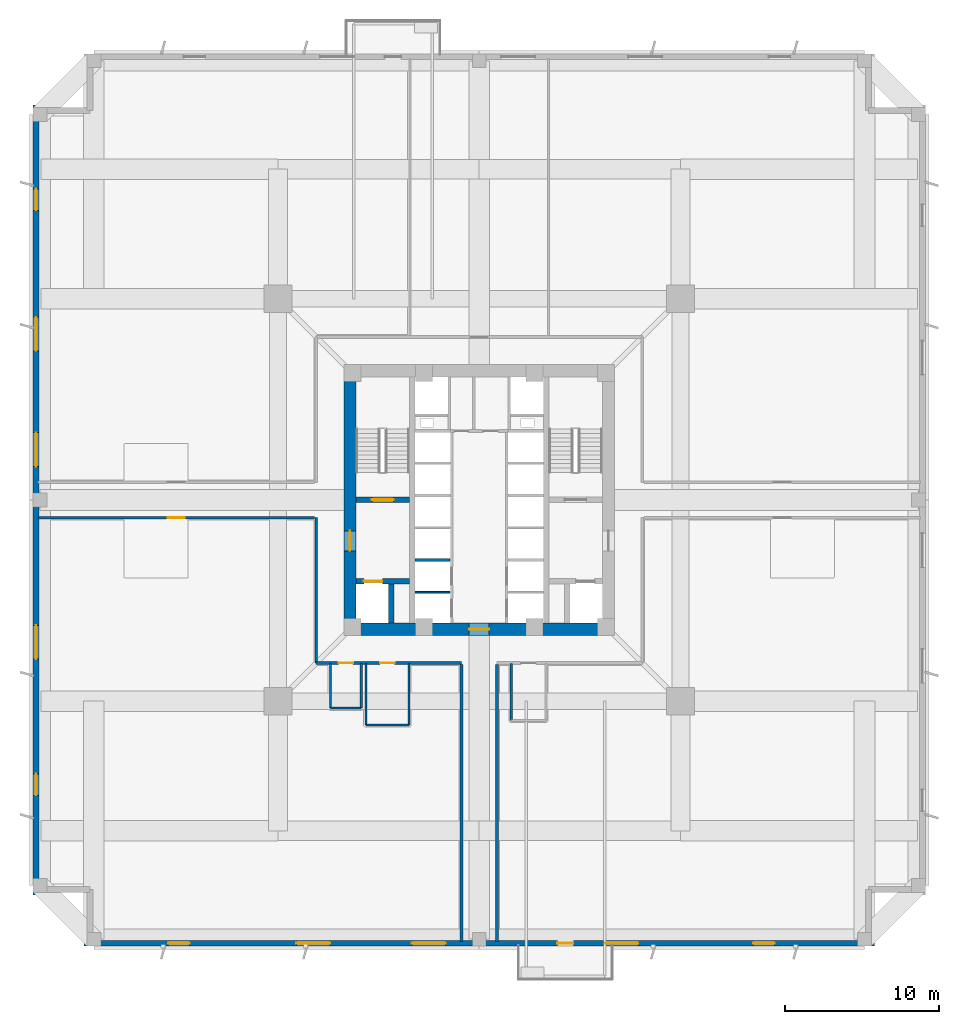
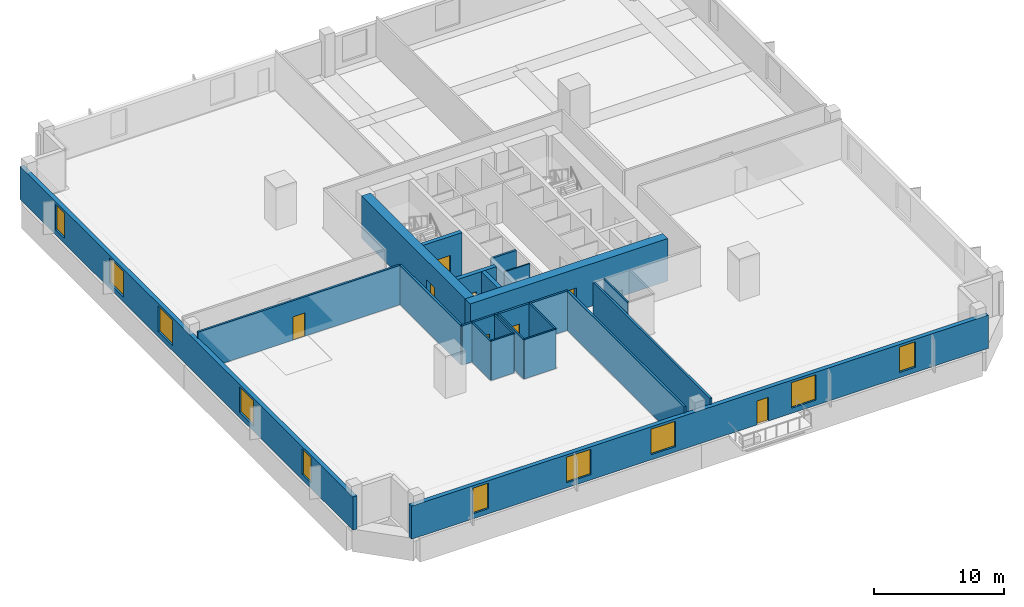
# One storey, part 2 of 9: 21 walls, 10 windows, 8 doors, 18 openings.
"""IFC4 building model written with IfcOpenShell, lengths in metres."""

from ifc_helpers import new_model, si_unit, direction, frame, frame_2d, origin, place, context, subcontext, project, spatial, rectangle, extrude, source, transform, mapped, material, layer, layer_set, type_object, element, fill, save


model = new_model("IFC4")

# Units and contexts
model_context = context("Model", 3, precision=1e-05, world=origin(), true_north=direction((0.0, 1.0)))
body_context = subcontext(model_context, "Body", "Model", "MODEL_VIEW")
ifc_project = project(units=[si_unit("LENGTHUNIT", "METRE"), si_unit("AREAUNIT", "SQUARE_METRE"), si_unit("VOLUMEUNIT", "CUBIC_METRE"), si_unit("PLANEANGLEUNIT", "RADIAN"), si_unit("MASSUNIT", "GRAM", prefix="KILO"), si_unit("THERMODYNAMICTEMPERATUREUNIT", "KELVIN")], contexts=[model_context])

# Site, building, storey
site_placement = place(None, origin())
site = spatial("IfcSite", under=ifc_project, at=site_placement, CompositionType="ELEMENT")
building_placement = place(site_placement, origin())
building = spatial("IfcBuilding", under=site, at=building_placement, Name="Kosmvard Interchange Tower", CompositionType="ELEMENT")
storey_placement = place(building_placement, frame((0.0, 0.0, 26.0)))
storey = spatial("IfcBuildingStorey", under=building, at=storey_placement, Name="L05", CompositionType="ELEMENT", Elevation=26.0)

# Wall, openings, doors
ifc_material_1 = material(Name="Fire-rated gypsum partition system")
ifc_layer_1 = layer(ifc_material_1, 0.179931640625, Name="Fire-rated gypsum partition system")
ifc_layer_set_1 = layer_set([ifc_layer_1], Name="Fire-rated gypsum partition system")
wall_type_1 = type_object("IfcWallType", Name="Corridor & Hotel Compartment Partition 180", PredefinedType="PARTITIONING", material=ifc_layer_set_1)
wall_1_placement = place(storey_placement, frame((-10.60009765625, -10.60009765625, 0.0), z_axis=(0.0, 0.0, 1.0), x_axis=(1.0, 0.0, 0.0)))
wall_1 = element("IfcWall", 1, at=wall_1_placement, inside=storey, type_object=wall_type_1, Name="L05 Corridor Wall CSW", PredefinedType="PARTITIONING", context=body_context, shape_type="SweptSolid", body=[
    extrude(rectangle(XDim=9.4501953125, YDim=0.179931640625, at=frame_2d((4.72509765625, 0.0))), origin(), (0.0, 0.0, 1.0), 3.719970703125),
])
opening_1_placement = place(wall_1_placement, frame((1.455078125, 0.0, 0.0)))
opening_1 = element("IfcOpeningElement", 2, at=opening_1_placement, cuts=wall_1, Name="Opening L05-D01", PredefinedType="OPENING", context=body_context, shape_type="SweptSolid", body=[
    extrude(rectangle(XDim=0.949951171875, YDim=2.10009765625, at=frame_2d((0.47509765625, 1.050048828125))), frame((0.0, 0.10009765625, 0.0), z_axis=(0.0, -1.0, 0.0), x_axis=(1.0, 0.0, 0.0)), (0.0, 0.0, 1.0), 0.199951171875),
])
opening_2_placement = place(wall_1_placement, frame((4.154052734375, 0.0, 0.0)))
opening_2 = element("IfcOpeningElement", 3, at=opening_2_placement, cuts=wall_1, Name="Opening L05-D03", PredefinedType="OPENING", context=body_context, shape_type="SweptSolid", body=[
    extrude(rectangle(XDim=0.949951171875, YDim=2.10009765625, at=frame_2d((0.47509765625, 1.050048828125))), frame((0.0, 0.10009765625, 0.0), z_axis=(0.0, -1.0, 0.0), x_axis=(1.0, 0.0, 0.0)), (0.0, 0.0, 1.0), 0.199951171875),
])
ifc_material_2 = material(Name="Laminated moisture-resistant timber", Category="wood")
door_type_1 = type_object("IfcDoorType", Name="Accessible Washroom Door 950x2100", OperationType="NOTDEFINED", PredefinedType="DOOR", material=ifc_material_2)
shared_shape_1 = source(origin(), body_context, "Body", "SweptSolid", [
    extrude(rectangle(XDim=0.949951171875, YDim=2.10009765625, at=frame_2d((0.47509765625, 1.050048828125))), frame((0.0, 0.02490234375, 0.0), z_axis=(0.0, -1.0, 0.0), x_axis=(1.0, 0.0, 0.0)), (0.0, 0.0, 1.0), 0.050048828125),
])
door_1_placement = place(opening_1_placement, frame((0.949951171875, 0.0, 0.0), z_axis=(0.0, 0.0, 1.0), x_axis=(-1.0, 0.0, 0.0)))
door_1 = element("IfcDoor", 4, at=door_1_placement, inside=storey, type_object=door_type_1, Name="L05 Accessible Toilet Door", OperationType="SINGLE_SWING_LEFT", OverallHeight=2.10009765625, OverallWidth=0.949951171875, PredefinedType="DOOR", context=body_context, shape_type="MappedRepresentation", body=[
    mapped(shared_shape_1, transform((0.0, 0.0, 0.0), scale=1.0)),
])
fill(opening_1, door_1)
door_2_placement = place(opening_2_placement, frame((0.949951171875, 0.0, 0.0), z_axis=(0.0, 0.0, 1.0), x_axis=(-1.0, 0.0, 0.0)))
door_2 = element("IfcDoor", 5, at=door_2_placement, inside=storey, type_object=door_type_1, Name="L05 Staff Catering Pantry Door", OperationType="SINGLE_SWING_LEFT", OverallHeight=2.10009765625, OverallWidth=0.949951171875, PredefinedType="DOOR", context=body_context, shape_type="MappedRepresentation", body=[
    mapped(shared_shape_1, transform((0.0, 0.0, 0.0), scale=1.0)),
])
fill(opening_2, door_2)

# Wall
wall_2_placement = place(storey_placement, frame((-10.60009765625, -10.60009765625, 0.0), z_axis=(0.0, 0.0, 1.0), x_axis=(0.0, 1.0, 0.0)))
element("IfcWall", 6, at=wall_2_placement, inside=storey, type_object=wall_type_1, Name="L05 Corridor Wall CWS", PredefinedType="PARTITIONING", context=body_context, shape_type="SweptSolid", body=[
    extrude(rectangle(XDim=9.4501953125, YDim=0.179931640625, at=frame_2d((4.72509765625, 0.0))), origin(), (0.0, 0.0, 1.0), 3.719970703125),
])

# Wall, opening, door
wall_3_placement = place(storey_placement, frame((-28.68505859375, -1.14990234375, 0.0), z_axis=(0.0, 0.0, 1.0), x_axis=(1.0, 0.0, 0.0)))
wall_3 = element("IfcWall", 7, at=wall_3_placement, inside=storey, type_object=wall_type_1, Name="L05 Corridor Wall SWS", PredefinedType="PARTITIONING", context=body_context, shape_type="SweptSolid", body=[
    extrude(rectangle(XDim=17.985107421875, YDim=0.179931640625, at=frame_2d((8.99267578125, 0.0))), origin(), (0.0, 0.0, 1.0), 3.719970703125),
])
opening_3_placement = place(wall_3_placement, frame((8.4423828125, 0.0, 0.0)))
opening_3 = element("IfcOpeningElement", 8, at=opening_3_placement, cuts=wall_3, Name="Opening L05-D08", PredefinedType="OPENING", context=body_context, shape_type="SweptSolid", body=[
    extrude(rectangle(XDim=1.10009765625, YDim=2.199951171875, at=frame_2d((0.550048828125, 1.10009765625))), frame((0.0, 0.10009765625, 0.0), z_axis=(0.0, -1.0, 0.0), x_axis=(1.0, 0.0, 0.0)), (0.0, 0.0, 1.0), 0.199951171875),
])
ifc_material_3 = material(Name="Engineered oak fire-rated timber", Category="wood")
door_type_2 = type_object("IfcDoorType", Name="Office Suite Entrance Door 1100x2200 FD30S", OperationType="NOTDEFINED", PredefinedType="DOOR", material=ifc_material_3)
shared_shape_2 = source(origin(), body_context, "Body", "SweptSolid", [
    extrude(rectangle(XDim=1.10009765625, YDim=2.199951171875, at=frame_2d((0.550048828125, 1.10009765625))), frame((0.0, 0.02490234375, 0.0), z_axis=(0.0, -1.0, 0.0), x_axis=(1.0, 0.0, 0.0)), (0.0, 0.0, 1.0), 0.050048828125),
])
door_3_placement = place(opening_3_placement, frame((1.10009765625, 0.0, 0.0), z_axis=(0.0, 0.0, 1.0), x_axis=(-1.0, 0.0, 0.0)))
door_3 = element("IfcDoor", 9, at=door_3_placement, inside=storey, type_object=door_type_2, Name="L05 South-West Open Plan Workplace Door", OperationType="SINGLE_SWING_RIGHT", OverallHeight=2.199951171875, OverallWidth=1.10009765625, PredefinedType="DOOR", context=body_context, shape_type="MappedRepresentation", body=[
    mapped(shared_shape_2, transform((0.0, 0.0, 0.0), scale=1.0)),
])
fill(opening_3, door_3)

# Walls
for number, where, z_axis, x_axis, name in (
    (10, (-1.14990234375, -28.68505859375, 0.0), (0.0, 0.0, 1.0), (0.0, 1.0, 0.0), "L05 Corridor Wall SSW"),
    (11, (1.14990234375, -28.68505859375, 0.0), (0.0, 0.0, 1.0), (0.0, 1.0, 0.0), "L05 Corridor Wall SSE"),
):
    element("IfcWall", number, at=place(storey_placement, frame(where, z_axis=z_axis, x_axis=x_axis)), inside=storey, type_object=wall_type_1, Name=name, PredefinedType="PARTITIONING", context=body_context, shape_type="SweptSolid", body=[
        extrude(rectangle(XDim=17.985107421875, YDim=0.179931640625, at=frame_2d((8.99267578125, 0.0))), origin(), (0.0, 0.0, 1.0), 3.719970703125),
    ])

# Wall, opening, door
ifc_material_4 = material(Name="Concrete C80/95", Category="concrete")
ifc_layer_2 = layer(ifc_material_4, 0.800048828125, Name="Concrete C80/95")
ifc_layer_set_2 = layer_set([ifc_layer_2], Name="Concrete C80/95")
wall_type_2 = type_object("IfcWallType", Name="Lower Core Shear Wall 800 C80/95", PredefinedType="SHEAR", material=ifc_layer_set_2)
wall_4_placement = place(storey_placement, frame((-8.800048828125, -8.39990234375, 0.0), z_axis=(0.0, 0.0, 1.0), x_axis=(1.0, 0.0, 0.0)))
wall_4 = element("IfcWall", 12, at=wall_4_placement, inside=storey, type_object=wall_type_2, Name="L05 Core Shear Wall CW-S", PredefinedType="SHEAR", context=body_context, shape_type="SweptSolid", body=[
    extrude(rectangle(XDim=17.60009765625, YDim=0.800048828125, at=frame_2d((8.800048828125, 0.0))), origin(), (0.0, 0.0, 1.0), 4.0),
])
opening_4_placement = place(wall_4_placement, frame((8.14990234375, 0.0, 0.0)))
opening_4 = element("IfcOpeningElement", 13, at=opening_4_placement, cuts=wall_4, Name="Opening L05-LD0", PredefinedType="OPENING", context=body_context, shape_type="SweptSolid", body=[
    extrude(rectangle(XDim=1.300048828125, YDim=2.199951171875, at=frame_2d((0.64990234375, 1.10009765625))), frame((0.0, 0.41015625, 0.0), z_axis=(0.0, -1.0, 0.0), x_axis=(1.0, 0.0, 0.0)), (0.0, 0.0, 1.0), 0.820068359375),
])
ifc_material_5 = material(Name="Painted fire-rated steel leaf", Category="steel")
door_type_3 = type_object("IfcDoorType", Name="Firefighting Lobby Door 1300x2200 EI60", OperationType="NOTDEFINED", PredefinedType="DOOR", material=ifc_material_5)
shared_shape_3 = source(origin(), body_context, "Body", "SweptSolid", [
    extrude(rectangle(XDim=1.300048828125, YDim=2.199951171875, at=frame_2d((0.64990234375, 1.10009765625))), frame((0.0, 0.02490234375, 0.0), z_axis=(0.0, -1.0, 0.0), x_axis=(1.0, 0.0, 0.0)), (0.0, 0.0, 1.0), 0.050048828125),
])
door_4_placement = place(opening_4_placement, frame((1.300048828125, 0.0, 0.0), z_axis=(0.0, 0.0, 1.0), x_axis=(-1.0, 0.0, 0.0)))
door_4 = element("IfcDoor", 14, at=door_4_placement, inside=storey, type_object=door_type_3, Name="L05 Passenger Lift Lobby South Door", OperationType="SINGLE_SWING_LEFT", OverallHeight=2.199951171875, OverallWidth=1.300048828125, PredefinedType="DOOR", context=body_context, shape_type="MappedRepresentation", body=[
    mapped(shared_shape_3, transform((0.0, 0.0, 0.0), scale=1.0)),
])
fill(opening_4, door_4)

wall_5_placement = place(storey_placement, frame((-8.39990234375, -8.0, 0.0), z_axis=(0.0, 0.0, 1.0), x_axis=(0.0, 1.0, 0.0)))
wall_5 = element("IfcWall", 15, at=wall_5_placement, inside=storey, type_object=wall_type_2, Name="L05 Core Shear Wall CW-W", PredefinedType="SHEAR", context=body_context, shape_type="SweptSolid", body=[
    extrude(rectangle(XDim=16.0, YDim=0.800048828125, at=frame_2d((8.0, 0.0))), origin(), (0.0, 0.0, 1.0), 4.0),
])
opening_5_placement = place(wall_5_placement, frame((4.68994140625, 0.0, 0.0)))
opening_5 = element("IfcOpeningElement", 16, at=opening_5_placement, cuts=wall_5, Name="Opening L05-FD1", PredefinedType="OPENING", context=body_context, shape_type="SweptSolid", body=[
    extrude(rectangle(XDim=1.300048828125, YDim=2.199951171875, at=frame_2d((0.64990234375, 1.10009765625))), frame((0.0, 0.41015625, 0.0), z_axis=(0.0, -1.0, 0.0), x_axis=(1.0, 0.0, 0.0)), (0.0, 0.0, 1.0), 0.820068359375),
])
door_5_placement = place(opening_5_placement, frame((1.300048828125, 0.0, 0.0), z_axis=(0.0, 0.0, 1.0), x_axis=(-1.0, 0.0, 0.0)))
door_5 = element("IfcDoor", 17, at=door_5_placement, inside=storey, type_object=door_type_3, Name="L05 Firefighting Lobby West Door", OperationType="SINGLE_SWING_LEFT", OverallHeight=2.199951171875, OverallWidth=1.300048828125, PredefinedType="DOOR", context=body_context, shape_type="MappedRepresentation", body=[
    mapped(shared_shape_3, transform((0.0, 0.0, 0.0), scale=1.0)),
])
fill(opening_5, door_5)

# Wall, openings, door, windows
ifc_material_6 = material(Name="Precast concrete C45/55", Category="concrete")
ifc_layer_3 = layer(ifc_material_6, 0.3798828125, Name="Precast concrete C45/55")
ifc_layer_set_3 = layer_set([ifc_layer_3], Name="Precast concrete C45/55")
wall_type_3 = type_object("IfcWallType", Name="Lower Tower Precast Pier Wall 380 C45/55", PredefinedType="STANDARD", material=ifc_layer_set_3)
wall_6_placement = place(storey_placement, frame((-25.68994140625, -28.81005859375, 0.0), z_axis=(0.0, 0.0, 1.0), x_axis=(1.0, 0.0, 0.0)))
wall_6 = element("IfcWall", 18, at=wall_6_placement, inside=storey, type_object=wall_type_3, Name="L05 Precast Facade Wall F-S", PredefinedType="STANDARD", context=body_context, shape_type="SweptSolid", body=[
    extrude(rectangle(XDim=51.3798828125, YDim=0.3798828125, at=frame_2d((25.68994140625, 0.0))), origin(), (0.0, 0.0, 1.0), 3.1201171875),
])
opening_6_placement = place(wall_6_placement, frame((30.764892578125, 0.0, 0.0)))
opening_6 = element("IfcOpeningElement", 19, at=opening_6_placement, cuts=wall_6, Name="Opening L05-BDW", PredefinedType="OPENING", context=body_context, shape_type="SweptSolid", body=[
    extrude(rectangle(XDim=1.050048828125, YDim=2.25, at=frame_2d((0.52490234375, 1.125))), frame((0.0, 0.199951171875, 0.0), z_axis=(0.0, -1.0, 0.0), x_axis=(1.0, 0.0, 0.0)), (0.0, 0.0, 1.0), 0.39990234375),
])
opening_7_placement = place(wall_6_placement, frame((5.465576171875, 0.0, 0.489990234375)))
opening_7 = element("IfcOpeningElement", 20, at=opening_7_placement, cuts=wall_6, Name="Opening L05-W01", PredefinedType="OPENING", context=body_context, shape_type="SweptSolid", body=[
    extrude(rectangle(XDim=1.39990234375, YDim=2.39990234375, at=frame_2d((0.699951171875, 1.199951171875))), frame((0.0, 0.199951171875, 0.0), z_axis=(0.0, -1.0, 0.0), x_axis=(1.0, 0.0, 0.0)), (0.0, 0.0, 1.0), 0.39990234375),
])
opening_8_placement = place(wall_6_placement, frame((13.80029296875, 0.0, 0.489990234375)))
opening_8 = element("IfcOpeningElement", 21, at=opening_8_placement, cuts=wall_6, Name="Opening L05-W02", PredefinedType="OPENING", context=body_context, shape_type="SweptSolid", body=[
    extrude(rectangle(XDim=2.199951171875, YDim=2.39990234375, at=frame_2d((1.10009765625, 1.199951171875))), frame((0.0, 0.199951171875, 0.0), z_axis=(0.0, -1.0, 0.0), x_axis=(1.0, 0.0, 0.0)), (0.0, 0.0, 1.0), 0.39990234375),
])
opening_9_placement = place(wall_6_placement, frame((21.3125, 0.0, 0.489990234375)))
opening_9 = element("IfcOpeningElement", 22, at=opening_9_placement, cuts=wall_6, Name="Opening L05-W03", PredefinedType="OPENING", context=body_context, shape_type="SweptSolid", body=[
    extrude(rectangle(XDim=2.199951171875, YDim=2.39990234375, at=frame_2d((1.10009765625, 1.199951171875))), frame((0.0, 0.199951171875, 0.0), z_axis=(0.0, -1.0, 0.0), x_axis=(1.0, 0.0, 0.0)), (0.0, 0.0, 1.0), 0.39990234375),
])
opening_10_placement = place(wall_6_placement, frame((33.83837890625, 0.0, 0.489990234375)))
opening_10 = element("IfcOpeningElement", 23, at=opening_10_placement, cuts=wall_6, Name="Opening L05-W04", PredefinedType="OPENING", context=body_context, shape_type="SweptSolid", body=[
    extrude(rectangle(XDim=2.199951171875, YDim=2.39990234375, at=frame_2d((1.10009765625, 1.199951171875))), frame((0.0, 0.199951171875, 0.0), z_axis=(0.0, -1.0, 0.0), x_axis=(1.0, 0.0, 0.0)), (0.0, 0.0, 1.0), 0.39990234375),
])
opening_11_placement = place(wall_6_placement, frame((43.48681640625, 0.0, 0.489990234375)))
opening_11 = element("IfcOpeningElement", 24, at=opening_11_placement, cuts=wall_6, Name="Opening L05-W05", PredefinedType="OPENING", context=body_context, shape_type="SweptSolid", body=[
    extrude(rectangle(XDim=1.39990234375, YDim=2.39990234375, at=frame_2d((0.699951171875, 1.199951171875))), frame((0.0, 0.199951171875, 0.0), z_axis=(0.0, -1.0, 0.0), x_axis=(1.0, 0.0, 0.0)), (0.0, 0.0, 1.0), 0.39990234375),
])
ifc_material_7 = material(Name="Anodised aluminium and safety glass", Category="aluminium")
door_type_4 = type_object("IfcDoorType", Name="Tree-Balcony Glazed Door 1050x2250", OperationType="NOTDEFINED", PredefinedType="DOOR", material=ifc_material_7)
shared_shape_4 = source(origin(), body_context, "Body", "SweptSolid", [
    extrude(rectangle(XDim=1.050048828125, YDim=2.25, at=frame_2d((0.52490234375, 1.125))), frame((0.0, 0.02490234375, 0.0), z_axis=(0.0, -1.0, 0.0), x_axis=(1.0, 0.0, 0.0)), (0.0, 0.0, 1.0), 0.050048828125),
])
door_6_placement = place(opening_6_placement, origin())
door_6 = element("IfcDoor", 25, at=door_6_placement, inside=storey, type_object=door_type_4, Name="L05 Tree-Balcony Door BAL-L05-SW", OperationType="SINGLE_SWING_RIGHT", OverallHeight=2.25, OverallWidth=1.050048828125, PredefinedType="DOOR", context=body_context, shape_type="MappedRepresentation", body=[
    mapped(shared_shape_4, transform((0.0, 0.0, 0.0), scale=1.0)),
])
fill(opening_6, door_6)
ifc_material_8 = material(Name="Low-E solar-control double glazing", Category="glass")
window_type_1 = type_object("IfcWindowType", Name="Notched Corner Feature Window 1400x2400", PartitioningType="SINGLE_PANEL", PredefinedType="WINDOW", material=ifc_material_8)
shared_shape_5 = source(origin(), body_context, "Body", "SweptSolid", [
    extrude(rectangle(XDim=1.39990234375, YDim=2.39990234375, at=frame_2d((0.699951171875, 1.199951171875))), frame((0.0, 0.030029296875, 0.0), z_axis=(0.0, -1.0, 0.0), x_axis=(1.0, 0.0, 0.0)), (0.0, 0.0, 1.0), 0.06005859375),
])
window_1_placement = place(opening_7_placement, origin())
window_1 = element("IfcWindow", 26, at=window_1_placement, inside=storey, type_object=window_type_1, Name="L05 Facade Punched Window 01", OverallHeight=2.39990234375, OverallWidth=1.39990234375, PartitioningType="SINGLE_PANEL", PredefinedType="WINDOW", context=body_context, shape_type="MappedRepresentation", body=[
    mapped(shared_shape_5, transform((0.0, 0.0, 0.0), scale=1.0)),
])
fill(opening_7, window_1)
window_2_placement = place(opening_11_placement, origin())
window_2 = element("IfcWindow", 27, at=window_2_placement, inside=storey, type_object=window_type_1, Name="L05 Facade Punched Window 05", OverallHeight=2.39990234375, OverallWidth=1.39990234375, PartitioningType="SINGLE_PANEL", PredefinedType="WINDOW", context=body_context, shape_type="MappedRepresentation", body=[
    mapped(shared_shape_5, transform((0.0, 0.0, 0.0), scale=1.0)),
])
fill(opening_11, window_2)
window_type_2 = type_object("IfcWindowType", Name="Zone 1 Office Punched Window 2200x2400", PartitioningType="SINGLE_PANEL", PredefinedType="WINDOW", material=ifc_material_8)
shared_shape_6 = source(origin(), body_context, "Body", "SweptSolid", [
    extrude(rectangle(XDim=2.199951171875, YDim=2.39990234375, at=frame_2d((1.10009765625, 1.199951171875))), frame((0.0, 0.030029296875, 0.0), z_axis=(0.0, -1.0, 0.0), x_axis=(1.0, 0.0, 0.0)), (0.0, 0.0, 1.0), 0.06005859375),
])
window_3_placement = place(opening_8_placement, origin())
window_3 = element("IfcWindow", 28, at=window_3_placement, inside=storey, type_object=window_type_2, Name="L05 Facade Punched Window 02", OverallHeight=2.39990234375, OverallWidth=2.199951171875, PartitioningType="SINGLE_PANEL", PredefinedType="WINDOW", context=body_context, shape_type="MappedRepresentation", body=[
    mapped(shared_shape_6, transform((0.0, 0.0, 0.0), scale=1.0)),
])
fill(opening_8, window_3)
window_4_placement = place(opening_9_placement, origin())
window_4 = element("IfcWindow", 29, at=window_4_placement, inside=storey, type_object=window_type_2, Name="L05 Facade Punched Window 03", OverallHeight=2.39990234375, OverallWidth=2.199951171875, PartitioningType="SINGLE_PANEL", PredefinedType="WINDOW", context=body_context, shape_type="MappedRepresentation", body=[
    mapped(shared_shape_6, transform((0.0, 0.0, 0.0), scale=1.0)),
])
fill(opening_9, window_4)
window_5_placement = place(opening_10_placement, origin())
window_5 = element("IfcWindow", 30, at=window_5_placement, inside=storey, type_object=window_type_2, Name="L05 Facade Punched Window 04", OverallHeight=2.39990234375, OverallWidth=2.199951171875, PartitioningType="SINGLE_PANEL", PredefinedType="WINDOW", context=body_context, shape_type="MappedRepresentation", body=[
    mapped(shared_shape_6, transform((0.0, 0.0, 0.0), scale=1.0)),
])
fill(opening_10, window_5)

# Wall, openings, windows
wall_7_placement = place(storey_placement, frame((-28.81005859375, 25.68994140625, 0.0), z_axis=(0.0, 0.0, 1.0), x_axis=(0.0, -1.0, 0.0)))
wall_7 = element("IfcWall", 31, at=wall_7_placement, inside=storey, type_object=wall_type_3, Name="L05 Precast Facade Wall F-W", PredefinedType="STANDARD", context=body_context, shape_type="SweptSolid", body=[
    extrude(rectangle(XDim=51.3798828125, YDim=0.3798828125, at=frame_2d((25.68994140625, 0.0))), origin(), (0.0, 0.0, 1.0), 3.1201171875),
])
opening_12_placement = place(wall_7_placement, frame((5.465576171875, 0.0, 0.489990234375)))
opening_12 = element("IfcOpeningElement", 32, at=opening_12_placement, cuts=wall_7, Name="Opening L05-W16", PredefinedType="OPENING", context=body_context, shape_type="SweptSolid", body=[
    extrude(rectangle(XDim=1.39990234375, YDim=2.39990234375, at=frame_2d((0.699951171875, 1.199951171875))), frame((0.0, 0.199951171875, 0.0), z_axis=(0.0, -1.0, 0.0), x_axis=(1.0, 0.0, 0.0)), (0.0, 0.0, 1.0), 0.39990234375),
])
opening_13_placement = place(wall_7_placement, frame((13.80029296875, 0.0, 0.489990234375)))
opening_13 = element("IfcOpeningElement", 33, at=opening_13_placement, cuts=wall_7, Name="Opening L05-W17", PredefinedType="OPENING", context=body_context, shape_type="SweptSolid", body=[
    extrude(rectangle(XDim=2.199951171875, YDim=2.39990234375, at=frame_2d((1.10009765625, 1.199951171875))), frame((0.0, 0.199951171875, 0.0), z_axis=(0.0, -1.0, 0.0), x_axis=(1.0, 0.0, 0.0)), (0.0, 0.0, 1.0), 0.39990234375),
])
opening_14_placement = place(wall_7_placement, frame((21.3125, 0.0, 0.489990234375)))
opening_14 = element("IfcOpeningElement", 34, at=opening_14_placement, cuts=wall_7, Name="Opening L05-W18", PredefinedType="OPENING", context=body_context, shape_type="SweptSolid", body=[
    extrude(rectangle(XDim=2.199951171875, YDim=2.39990234375, at=frame_2d((1.10009765625, 1.199951171875))), frame((0.0, 0.199951171875, 0.0), z_axis=(0.0, -1.0, 0.0), x_axis=(1.0, 0.0, 0.0)), (0.0, 0.0, 1.0), 0.39990234375),
])
opening_15_placement = place(wall_7_placement, frame((33.83837890625, 0.0, 0.489990234375)))
opening_15 = element("IfcOpeningElement", 35, at=opening_15_placement, cuts=wall_7, Name="Opening L05-W19", PredefinedType="OPENING", context=body_context, shape_type="SweptSolid", body=[
    extrude(rectangle(XDim=2.199951171875, YDim=2.39990234375, at=frame_2d((1.10009765625, 1.199951171875))), frame((0.0, 0.199951171875, 0.0), z_axis=(0.0, -1.0, 0.0), x_axis=(1.0, 0.0, 0.0)), (0.0, 0.0, 1.0), 0.39990234375),
])
opening_16_placement = place(wall_7_placement, frame((43.48681640625, 0.0, 0.489990234375)))
opening_16 = element("IfcOpeningElement", 36, at=opening_16_placement, cuts=wall_7, Name="Opening L05-W20", PredefinedType="OPENING", context=body_context, shape_type="SweptSolid", body=[
    extrude(rectangle(XDim=1.39990234375, YDim=2.39990234375, at=frame_2d((0.699951171875, 1.199951171875))), frame((0.0, 0.199951171875, 0.0), z_axis=(0.0, -1.0, 0.0), x_axis=(1.0, 0.0, 0.0)), (0.0, 0.0, 1.0), 0.39990234375),
])
window_6_placement = place(opening_12_placement, origin())
window_6 = element("IfcWindow", 37, at=window_6_placement, inside=storey, type_object=window_type_1, Name="L05 Facade Punched Window 16", OverallHeight=2.39990234375, OverallWidth=1.39990234375, PartitioningType="SINGLE_PANEL", PredefinedType="WINDOW", context=body_context, shape_type="MappedRepresentation", body=[
    mapped(shared_shape_5, transform((0.0, 0.0, 0.0), scale=1.0)),
])
fill(opening_12, window_6)
window_7_placement = place(opening_16_placement, origin())
window_7 = element("IfcWindow", 38, at=window_7_placement, inside=storey, type_object=window_type_1, Name="L05 Facade Punched Window 20", OverallHeight=2.39990234375, OverallWidth=1.39990234375, PartitioningType="SINGLE_PANEL", PredefinedType="WINDOW", context=body_context, shape_type="MappedRepresentation", body=[
    mapped(shared_shape_5, transform((0.0, 0.0, 0.0), scale=1.0)),
])
fill(opening_16, window_7)
window_8_placement = place(opening_13_placement, origin())
window_8 = element("IfcWindow", 39, at=window_8_placement, inside=storey, type_object=window_type_2, Name="L05 Facade Punched Window 17", OverallHeight=2.39990234375, OverallWidth=2.199951171875, PartitioningType="SINGLE_PANEL", PredefinedType="WINDOW", context=body_context, shape_type="MappedRepresentation", body=[
    mapped(shared_shape_6, transform((0.0, 0.0, 0.0), scale=1.0)),
])
fill(opening_13, window_8)
window_9_placement = place(opening_14_placement, origin())
window_9 = element("IfcWindow", 40, at=window_9_placement, inside=storey, type_object=window_type_2, Name="L05 Facade Punched Window 18", OverallHeight=2.39990234375, OverallWidth=2.199951171875, PartitioningType="SINGLE_PANEL", PredefinedType="WINDOW", context=body_context, shape_type="MappedRepresentation", body=[
    mapped(shared_shape_6, transform((0.0, 0.0, 0.0), scale=1.0)),
])
fill(opening_14, window_9)
window_10_placement = place(opening_15_placement, origin())
window_10 = element("IfcWindow", 41, at=window_10_placement, inside=storey, type_object=window_type_2, Name="L05 Facade Punched Window 19", OverallHeight=2.39990234375, OverallWidth=2.199951171875, PartitioningType="SINGLE_PANEL", PredefinedType="WINDOW", context=body_context, shape_type="MappedRepresentation", body=[
    mapped(shared_shape_6, transform((0.0, 0.0, 0.0), scale=1.0)),
])
fill(opening_15, window_10)

# Walls
ifc_material_9 = material(Name="Concrete blockwork masonry", Category="masonry")
ifc_layer_4 = layer(ifc_material_9, 0.179931640625, Name="Concrete blockwork masonry")
ifc_layer_set_4 = layer_set([ifc_layer_4], Name="Concrete blockwork masonry")
wall_type_4 = type_object("IfcWallType", Name="Riser & Lift Bank Divider Wall 180", PredefinedType="PARTITIONING", material=ifc_layer_set_4)
wall_8_placement = place(storey_placement, frame((-4.169921875, -3.89990234375, 0.0), z_axis=(0.0, 0.0, 1.0), x_axis=(1.0, 0.0, 0.0)))
element("IfcWall", 42, at=wall_8_placement, inside=storey, type_object=wall_type_4, Name="L05 West Bank Divider BD1", PredefinedType="PARTITIONING", context=body_context, shape_type="SweptSolid", body=[
    extrude(rectangle(XDim=2.280029296875, YDim=0.179931640625, at=frame_2d((1.14013671875, 0.0))), origin(), (0.0, 0.0, 1.0), 3.719970703125),
])
ifc_material_10 = material(Name="Fire-rated gypsum shaftwall system")
ifc_layer_5 = layer(ifc_material_10, 0.1201171875, Name="Fire-rated gypsum shaftwall system")
ifc_layer_set_5 = layer_set([ifc_layer_5], Name="Fire-rated gypsum shaftwall system")
wall_type_5 = type_object("IfcWallType", Name="Shaft & Riser Fire Partition 120 EI60", PredefinedType="PARTITIONING", material=ifc_layer_set_5)
wall_9_placement = place(storey_placement, frame((-4.159912109375, -6.0, 0.0), z_axis=(0.0, 0.0, 1.0), x_axis=(1.0, 0.0, 0.0)))
element("IfcWall", 43, at=wall_9_placement, inside=storey, type_object=wall_type_5, Name="L05 Shaft Divider PL-L1", PredefinedType="PARTITIONING", context=body_context, shape_type="SweptSolid", body=[
    extrude(rectangle(XDim=2.260009765625, YDim=0.1201171875, at=frame_2d((1.1298828125, 0.0))), origin(), (0.0, 0.0, 1.0), 3.719970703125),
])

# Wall, opening, door
ifc_material_11 = material(Name="Concrete C60/75", Category="concrete")
ifc_layer_6 = layer(ifc_material_11, 0.360107421875, Name="Concrete C60/75")
ifc_layer_set_6 = layer_set([ifc_layer_6], Name="Concrete C60/75")
wall_type_6 = type_object("IfcWallType", Name="Stair & Lift Shaft Shear Wall 360 C60/75", PredefinedType="SHEAR", material=ifc_layer_set_6)
wall_10_placement = place(storey_placement, frame((-8.0, 0.02001953125, 0.0), z_axis=(0.0, 0.0, 1.0), x_axis=(1.0, 0.0, 0.0)))
wall_10 = element("IfcWall", 44, at=wall_10_placement, inside=storey, type_object=wall_type_6, Name="L05 Shaft Shear Wall SW-ST1", PredefinedType="SHEAR", context=body_context, shape_type="SweptSolid", body=[
    extrude(rectangle(XDim=3.4599609375, YDim=0.360107421875, at=frame_2d((1.72998046875, 0.0))), origin(), (0.0, 0.0, 1.0), 4.0),
])
opening_17_placement = place(wall_10_placement, frame((1.030029296875, 0.0, 0.0)))
opening_17 = element("IfcOpeningElement", 45, at=opening_17_placement, cuts=wall_10, Name="Opening L05-SD1", PredefinedType="OPENING", context=body_context, shape_type="SweptSolid", body=[
    extrude(rectangle(XDim=1.39990234375, YDim=2.199951171875, at=frame_2d((0.699951171875, 1.10009765625))), frame((0.0, 0.18994140625, 0.0), z_axis=(0.0, -1.0, 0.0), x_axis=(1.0, 0.0, 0.0)), (0.0, 0.0, 1.0), 0.380126953125),
])
door_type_5 = type_object("IfcDoorType", Name="Protected Stair Door 1400x2200 FD60S", OperationType="NOTDEFINED", PredefinedType="DOOR", material=ifc_material_5)
shared_shape_7 = source(origin(), body_context, "Body", "SweptSolid", [
    extrude(rectangle(XDim=1.39990234375, YDim=2.199951171875, at=frame_2d((0.699951171875, 1.10009765625))), frame((0.0, 0.02490234375, 0.0), z_axis=(0.0, -1.0, 0.0), x_axis=(1.0, 0.0, 0.0)), (0.0, 0.0, 1.0), 0.050048828125),
])
door_7_placement = place(opening_17_placement, origin())
door_7 = element("IfcDoor", 46, at=door_7_placement, inside=storey, type_object=door_type_5, Name="L05 Stair ST-1 Enclosure Door", OperationType="SINGLE_SWING_LEFT", OverallHeight=2.199951171875, OverallWidth=1.39990234375, PredefinedType="DOOR", context=body_context, shape_type="MappedRepresentation", body=[
    mapped(shared_shape_7, transform((0.0, 0.0, 0.0), scale=1.0)),
])
fill(opening_17, door_7)

wall_11_placement = place(storey_placement, frame((-8.0, -5.280029296875, 0.0), z_axis=(0.0, 0.0, 1.0), x_axis=(1.0, 0.0, 0.0)))
wall_11 = element("IfcWall", 47, at=wall_11_placement, inside=storey, type_object=wall_type_6, Name="L05 Shaft Shear Wall SW-FF1", PredefinedType="SHEAR", context=body_context, shape_type="SweptSolid", body=[
    extrude(rectangle(XDim=3.4599609375, YDim=0.360107421875, at=frame_2d((1.72998046875, 0.0))), origin(), (0.0, 0.0, 1.0), 4.0),
])
opening_18_placement = place(wall_11_placement, frame((0.5, 0.0, 0.0)))
opening_18 = element("IfcOpeningElement", 48, at=opening_18_placement, cuts=wall_11, Name="Opening LD-FF-1-L05", PredefinedType="OPENING", context=body_context, shape_type="SweptSolid", body=[
    extrude(rectangle(XDim=1.199951171875, YDim=2.25, at=frame_2d((0.60009765625, 1.125))), frame((0.0, 0.18994140625, 0.0), z_axis=(0.0, -1.0, 0.0), x_axis=(1.0, 0.0, 0.0)), (0.0, 0.0, 1.0), 0.380126953125),
])
ifc_material_12 = material(Name="Brushed stainless steel sliding leaf", Category="steel")
door_type_6 = type_object("IfcDoorType", Name="Firefighting Lift Sliding Landing Door 1200x2250 EI120", OperationType="DOUBLE_DOOR_SLIDING", PredefinedType="DOOR", material=ifc_material_12)
shared_shape_8 = source(origin(), body_context, "Body", "SweptSolid", [
    extrude(rectangle(XDim=1.199951171875, YDim=2.25, at=frame_2d((0.60009765625, 1.125))), frame((0.0, 0.02490234375, 0.0), z_axis=(0.0, -1.0, 0.0), x_axis=(1.0, 0.0, 0.0)), (0.0, 0.0, 1.0), 0.050048828125),
])
door_8_placement = place(opening_18_placement, origin())
door_8 = element("IfcDoor", 49, at=door_8_placement, inside=storey, type_object=door_type_6, Name="Lift FF-1 Landing Door L05", OperationType="DOUBLE_DOOR_SLIDING", OverallHeight=2.25, OverallWidth=1.199951171875, PredefinedType="DOOR", context=body_context, shape_type="MappedRepresentation", body=[
    mapped(shared_shape_8, transform((0.0, 0.0, 0.0), scale=1.0)),
])
fill(opening_18, door_8)

# Walls
wall_12_placement = place(storey_placement, frame((-5.7099609375, -8.0, 0.0), z_axis=(0.0, 0.0, 1.0), x_axis=(0.0, 1.0, 0.0)))
element("IfcWall", 50, at=wall_12_placement, inside=storey, type_object=wall_type_6, Name="L05 Shaft Shear Wall SW-SM1", PredefinedType="SHEAR", context=body_context, shape_type="SweptSolid", body=[
    extrude(rectangle(XDim=2.5400390625, YDim=0.360107421875, at=frame_2d((1.27001953125, 0.0))), origin(), (0.0, 0.0, 1.0), 4.0),
])
ifc_material_13 = material(Name="Moisture-resistant gypsum partition")
ifc_layer_7 = layer(ifc_material_13, 0.135009765625, Name="Moisture-resistant gypsum partition")
ifc_layer_set_7 = layer_set([ifc_layer_7], Name="Moisture-resistant gypsum partition")
wall_type_7 = type_object("IfcWallType", Name="Wet Room Moisture-Resistant Partition 135", PredefinedType="PARTITIONING", material=ifc_layer_set_7)
wall_13_placement = place(storey_placement, frame((-9.669921875, -13.52001953125, 0.0), z_axis=(0.0, 0.0, 1.0), x_axis=(1.0, 0.0, 0.0)))
element("IfcWall", 51, at=wall_13_placement, inside=storey, type_object=wall_type_7, Name="L05 Washroom Partition AWC1-S", PredefinedType="PARTITIONING", context=body_context, shape_type="SweptSolid", body=[
    extrude(rectangle(XDim=2.0, YDim=0.135009765625, at=frame_2d((1.0, 0.0))), origin(), (0.0, 0.0, 1.0), 3.719970703125),
])
for number, where, z_axis, x_axis, name in (
    (52, (-7.669921875, -13.52001953125, 0.0), (0.0, 0.0, 1.0), (0.0, 1.0, 0.0), "L05 Washroom Partition AWC1-E"),
    (53, (-9.669921875, -13.52001953125, 0.0), (0.0, 0.0, 1.0), (0.0, 1.0, 0.0), "L05 Washroom Partition AWC1-W"),
):
    element("IfcWall", number, at=place(storey_placement, frame(where, z_axis=z_axis, x_axis=x_axis)), inside=storey, type_object=wall_type_7, Name=name, PredefinedType="PARTITIONING", context=body_context, shape_type="SweptSolid", body=[
        extrude(rectangle(XDim=2.89990234375, YDim=0.135009765625, at=frame_2d((1.449951171875, 0.0))), origin(), (0.0, 0.0, 1.0), 3.719970703125),
    ])
wall_14_placement = place(storey_placement, frame((2.080078125, -14.320068359375, 0.0), z_axis=(0.0, 0.0, 1.0), x_axis=(0.0, 1.0, 0.0)))
element("IfcWall", 54, at=wall_14_placement, inside=storey, type_object=wall_type_7, Name="L05 Washroom Partition WC1-W", PredefinedType="PARTITIONING", context=body_context, shape_type="SweptSolid", body=[
    extrude(rectangle(XDim=3.699951171875, YDim=0.135009765625, at=frame_2d((1.85009765625, 0.0))), origin(), (0.0, 0.0, 1.0), 3.719970703125),
])
wall_15_placement = place(storey_placement, frame((-7.370849609375, -14.6201171875, 0.0), z_axis=(0.0, 0.0, 1.0), x_axis=(1.0, 0.0, 0.0)))
element("IfcWall", 55, at=wall_15_placement, inside=storey, type_object=wall_type_7, Name="L05 Washroom Partition PNT1-S", PredefinedType="PARTITIONING", context=body_context, shape_type="SweptSolid", body=[
    extrude(rectangle(XDim=2.800048828125, YDim=0.135009765625, at=frame_2d((1.39990234375, 0.0))), origin(), (0.0, 0.0, 1.0), 3.719970703125),
])
for number, where, z_axis, x_axis, name in (
    (56, (-4.57080078125, -14.6201171875, 0.0), (0.0, 0.0, 1.0), (0.0, 1.0, 0.0), "L05 Washroom Partition PNT1-E"),
    (57, (-7.370849609375, -14.6201171875, 0.0), (0.0, 0.0, 1.0), (0.0, 1.0, 0.0), "L05 Washroom Partition PNT1-W"),
):
    element("IfcWall", number, at=place(storey_placement, frame(where, z_axis=z_axis, x_axis=x_axis)), inside=storey, type_object=wall_type_7, Name=name, PredefinedType="PARTITIONING", context=body_context, shape_type="SweptSolid", body=[
        extrude(rectangle(XDim=4.0, YDim=0.135009765625, at=frame_2d((2.0, 0.0))), origin(), (0.0, 0.0, 1.0), 3.719970703125),
    ])

save(model, "model.ifc")
